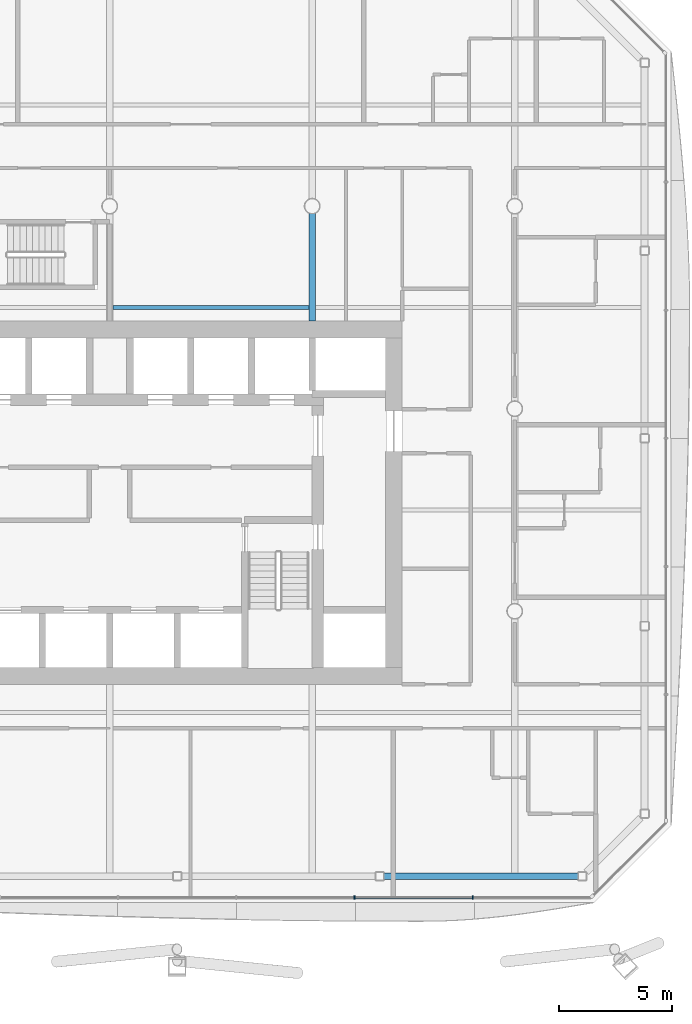
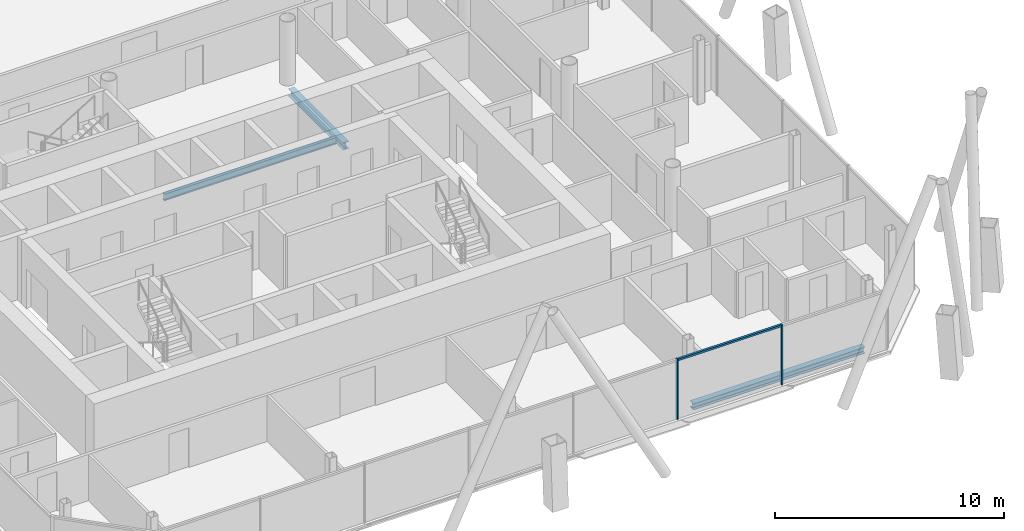
# One storey, part 7 of 20: 3 beams, 3 members, 1 element without a shape of its own.
"""IFC4 building model written with IfcOpenShell, lengths in metres."""

from ifc_helpers import new_model, si_unit, direction, frame, origin, origin_2d, place, context, subcontext, project, spatial, rectangle, i_section, extrude, material, material_profile, profile_set, type_object, element, aggregate, save


model = new_model("IFC4")

# Units and contexts
model_context = context("Model", 3, precision=1e-05, world=origin(), true_north=direction((0.0, 1.0)))
body_context = subcontext(model_context, "Body", "Model", "MODEL_VIEW")
ifc_project = project(units=[si_unit("LENGTHUNIT", "METRE"), si_unit("AREAUNIT", "SQUARE_METRE"), si_unit("VOLUMEUNIT", "CUBIC_METRE"), si_unit("PLANEANGLEUNIT", "RADIAN"), si_unit("MASSUNIT", "GRAM", prefix="KILO")], contexts=[model_context])

# Site, building, storey
site_placement = place(None, origin())
site = spatial("IfcSite", under=ifc_project, at=site_placement, CompositionType="ELEMENT")
building_placement = place(site_placement, origin())
building = spatial("IfcBuilding", under=site, at=building_placement, Name="Tskaro Facet Tower", CompositionType="ELEMENT")
storey_placement = place(building_placement, frame((0.0, 0.0, 152.10009765625)))
storey = spatial("IfcBuildingStorey", under=building, at=storey_placement, Name="L37", CompositionType="ELEMENT", Elevation=152.10009765625)

# Curtain wall, members
ifc_material_1 = material(Name="Bronze anodised aluminium 6063-T6", Category="aluminium")
curtain_wall_type = type_object("IfcCurtainWallType", Name="Bronze hotel curtain wall (FW2)", PredefinedType="NOTDEFINED", material=ifc_material_1)
curtain_wall_placement = place(storey_placement, origin())
curtain_wall = element("IfcCurtainWall", 1, at=curtain_wall_placement, inside=storey, type_object=curtain_wall_type, Name="FW2 south facet L37", PredefinedType="NOTDEFINED")
ifc_material_profile_1 = material_profile(ifc_material_1, rectangle(XDim=0.06005859375, YDim=0.14990234375, at=origin_2d()), Name="Mullion 60x150")
ifc_profile_set_1 = profile_set([ifc_material_profile_1], Name="Bronze anodised aluminium 6063-T6")
member_type_1 = type_object("IfcMemberType", Name="FW2 bronze mullion 60x150", PredefinedType="MULLION", material=ifc_profile_set_1)
member_1_placement = place(storey_placement, frame((10.88232421875, -21.72412109375, 0.0), z_axis=(0.0, 0.0, 1.0), x_axis=(1.0, 0.0, 0.0)))
member_1 = element("IfcMember", 2, at=member_1_placement, type_object=member_type_1, Name="FW2 south mullion 5", PredefinedType="MULLION", context=body_context, shape_type="SweptSolid", body=[
    extrude(rectangle(XDim=0.06005859375, YDim=0.14990234375, at=origin_2d()), origin(), (0.0, 0.0, 1.0), 3.199951171875),
])
member_2_placement = place(storey_placement, frame((16.13720703125, -21.72412109375, 0.0), z_axis=(0.0, 0.0, 1.0), x_axis=(1.0, 0.0, 0.0)))
member_2 = element("IfcMember", 3, at=member_2_placement, type_object=member_type_1, Name="FW2 south mullion 6", PredefinedType="MULLION", context=body_context, shape_type="SweptSolid", body=[
    extrude(rectangle(XDim=0.06005859375, YDim=0.14990234375, at=origin_2d()), origin(), (0.0, 0.0, 1.0), 3.199951171875),
])
ifc_material_profile_2 = material_profile(ifc_material_1, rectangle(XDim=0.110107421875, YDim=0.10009765625, at=origin_2d()), Name="Transom 110x100")
ifc_profile_set_2 = profile_set([ifc_material_profile_2], Name="Bronze anodised aluminium 6063-T6")
member_type_2 = type_object("IfcMemberType", Name="FW2 bronze transom 110x100", PredefinedType="USERDEFINED", material=ifc_profile_set_2)
member_3_placement = place(storey_placement, frame((10.912353515625, -21.72412109375, 3.14990234375), z_axis=(1.0, 0.0, 0.0), x_axis=(0.0, 1.0, 0.0)))
member_3 = element("IfcMember", 4, at=member_3_placement, type_object=member_type_2, Name="FW2 south transom 6.1", ObjectType="TRANSOM", PredefinedType="USERDEFINED", context=body_context, shape_type="SweptSolid", body=[
    extrude(rectangle(XDim=0.110107421875, YDim=0.10009765625, at=origin_2d()), origin(), (0.0, 0.0, 1.0), 5.19482421875),
])
aggregate(curtain_wall, [member_1, member_2, member_3])

# Beams
ifc_material_2 = material(Name="Steel S355J2", Category="steel")
ifc_material_profile_3 = material_profile(ifc_material_2, i_section(OverallWidth=0.300048828125, OverallDepth=0.340087890625, WebThickness=0.011962890625, FlangeThickness=0.021484375, FilletRadius=0.027099609375, at=origin_2d()), Name="HE 340 B")
ifc_profile_set_3 = profile_set([ifc_material_profile_3], Name="Steel S355J2")
beam_type_1 = type_object("IfcBeamType", Name="HE 340 B ring beam", PredefinedType="BEAM", material=ifc_profile_set_3)
beam_1_placement = place(storey_placement, frame((12.179931640625, -20.77392578125, -0.31005859375), z_axis=(1.0, 0.0, 0.0), x_axis=(0.0, 1.0, 0.0)))
element("IfcBeam", 5, at=beam_1_placement, inside=storey, type_object=beam_type_1, Name="HE 340 B EB4-3", PredefinedType="BEAM", context=body_context, shape_type="SweptSolid", body=[
    extrude(i_section(OverallWidth=0.300048828125, OverallDepth=0.340087890625, WebThickness=0.011962890625, FlangeThickness=0.021484375, FilletRadius=0.027099609375, at=origin_2d()), origin(), (0.0, 0.0, 1.0), 8.63916015625),
])
ifc_material_profile_4 = material_profile(ifc_material_2, i_section(OverallWidth=0.300048828125, OverallDepth=0.389892578125, WebThickness=0.010986328125, FlangeThickness=0.01904296875, FilletRadius=0.027099609375, at=origin_2d()), Name="HE 400 A")
ifc_profile_set_4 = profile_set([ifc_material_profile_4], Name="Steel S355J2")
beam_type_2 = type_object("IfcBeamType", Name="HE 400 A girder", PredefinedType="BEAM", material=ifc_profile_set_4)
beam_2_placement = place(storey_placement, frame((9.0, 3.89990234375, -0.335205078125), z_axis=(0.0, 1.0, 0.0), x_axis=(-1.0, 0.0, 0.0)))
element("IfcBeam", 6, at=beam_2_placement, inside=storey, type_object=beam_type_2, Name="HE 400 A GB5-2-3", PredefinedType="BEAM", context=body_context, shape_type="SweptSolid", body=[
    extrude(i_section(OverallWidth=0.300048828125, OverallDepth=0.389892578125, WebThickness=0.010986328125, FlangeThickness=0.01904296875, FilletRadius=0.027099609375, at=origin_2d()), origin(), (0.0, 0.0, 1.0), 4.774658203125),
])
ifc_material_profile_5 = material_profile(ifc_material_2, i_section(OverallWidth=0.169921875, OverallDepth=0.360107421875, WebThickness=0.008056640625, FlangeThickness=0.0126953125, FilletRadius=0.01806640625, at=origin_2d()), Name="IPE 360")
ifc_profile_set_5 = profile_set([ifc_material_profile_5], Name="Steel S355J2")
beam_type_3 = type_object("IfcBeamType", Name="IPE 360 secondary beam", PredefinedType="BEAM", material=ifc_profile_set_5)
beam_3_placement = place(storey_placement, frame((0.14990234375, 4.5, -0.320068359375), z_axis=(1.0, 0.0, 0.0), x_axis=(0.0, 1.0, 0.0)))
element("IfcBeam", 7, at=beam_3_placement, inside=storey, type_object=beam_type_3, Name="IPE 360 SB4a-3-3", PredefinedType="BEAM", context=body_context, shape_type="SweptSolid", body=[
    extrude(i_section(OverallWidth=0.169921875, OverallDepth=0.360107421875, WebThickness=0.008056640625, FlangeThickness=0.0126953125, FilletRadius=0.01806640625, at=origin_2d()), origin(), (0.0, 0.0, 1.0), 8.7001953125),
])

save(model, "model.ifc")
